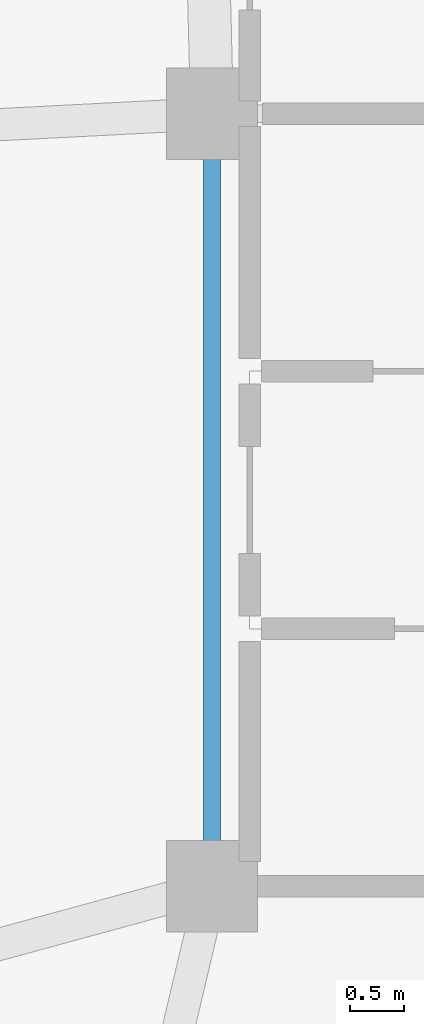
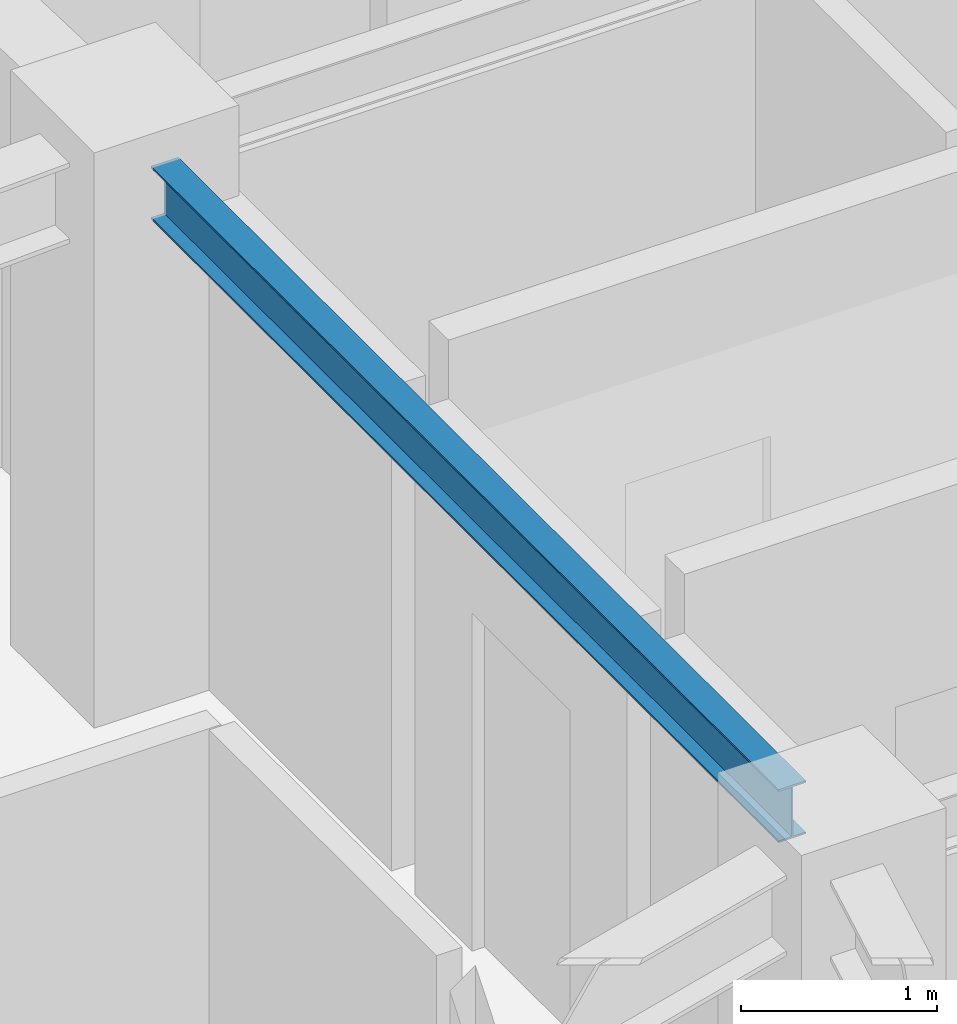
# One storey, part 6 of 28: 1 beam.
"""IFC4 building model written with IfcOpenShell, lengths in metres."""

from ifc_helpers import new_model, si_unit, direction, frame, origin, origin_2d, place, context, subcontext, project, spatial, i_section, extrude, material, material_profile, profile_set, type_object, element, save


model = new_model("IFC4")

# Units and contexts
model_context = context("Model", 3, precision=1e-05, world=origin(), true_north=direction((0.0, 1.0)))
body_context = subcontext(model_context, "Body", "Model", "MODEL_VIEW")
ifc_project = project(units=[si_unit("LENGTHUNIT", "METRE"), si_unit("AREAUNIT", "SQUARE_METRE"), si_unit("VOLUMEUNIT", "CUBIC_METRE"), si_unit("PLANEANGLEUNIT", "RADIAN"), si_unit("MASSUNIT", "GRAM", prefix="KILO")], contexts=[model_context])

# Site, building, storey
site_placement = place(None, origin())
site = spatial("IfcSite", under=ifc_project, at=site_placement, CompositionType="ELEMENT")
building_placement = place(site_placement, origin())
building = spatial("IfcBuilding", under=site, at=building_placement, Name="Varnakorn Sky Granary", CompositionType="ELEMENT")
storey_placement = place(building_placement, frame((0.0, 0.0, 225.60009765625)))
storey = spatial("IfcBuildingStorey", under=building, at=storey_placement, Name="L57", CompositionType="ELEMENT", Elevation=225.60009765625)

# Beam
ifc_material = material(Name="Steel S355JR", Category="steel")
ifc_material_profile = material_profile(ifc_material, i_section(OverallWidth=0.159912109375, OverallDepth=0.330078125, WebThickness=0.007568359375, FlangeThickness=0.011474609375, at=origin_2d()), Name="IPE 330")
ifc_profile_set = profile_set([ifc_material_profile], Name="Steel S355JR")
beam_type = type_object("IfcBeamType", Name="BM-SEC-Z4", PredefinedType="BEAM", material=ifc_profile_set)
beam_placement = place(storey_placement, frame((-2.35009765625, 0.195068359375, 3.19482421875), z_axis=(0.0, -1.0, 0.0), x_axis=(1.0, 0.0, 0.0)))
element("IfcBeam", 1, at=beam_placement, inside=storey, type_object=beam_type, Name="Core Spine Framing Beam 3 L57", PredefinedType="BEAM", context=body_context, shape_type="SweptSolid", body=[
    extrude(i_section(OverallWidth=0.159912109375, OverallDepth=0.330078125, WebThickness=0.007568359375, FlangeThickness=0.011474609375, at=origin_2d()), origin(), (0.0, 0.0, 1.0), 6.39013671875),
])

save(model, "model.ifc")
